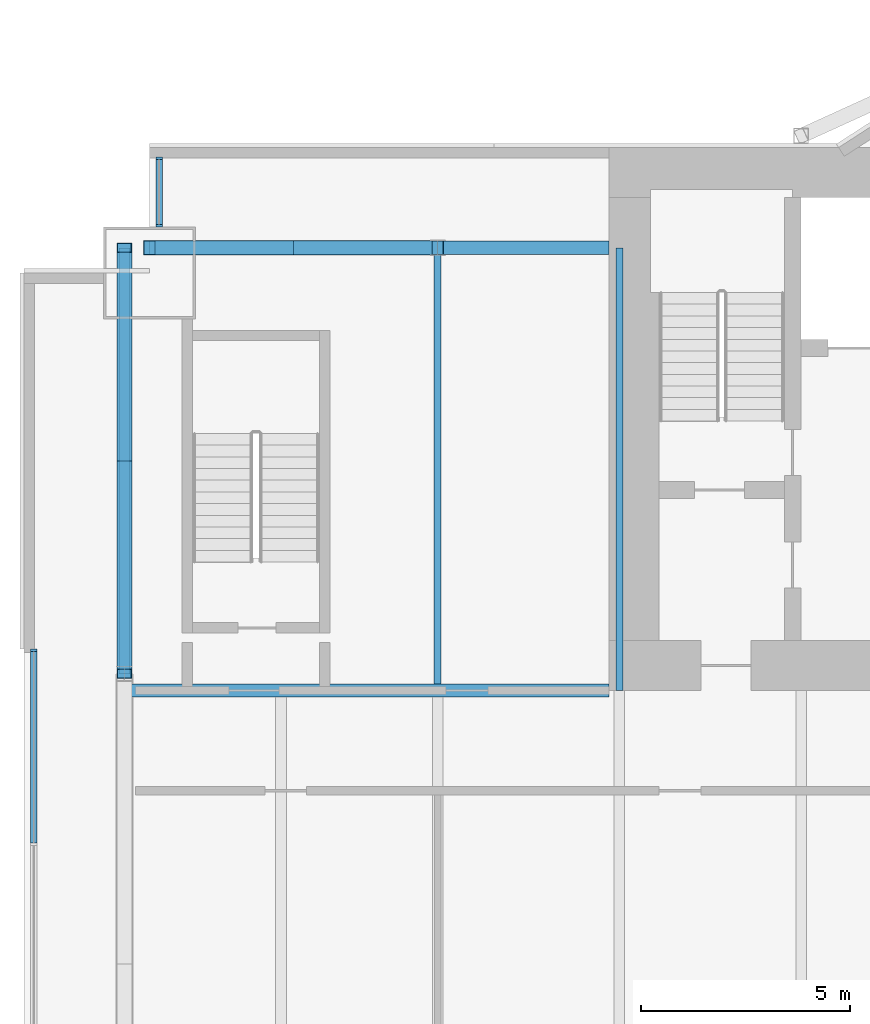
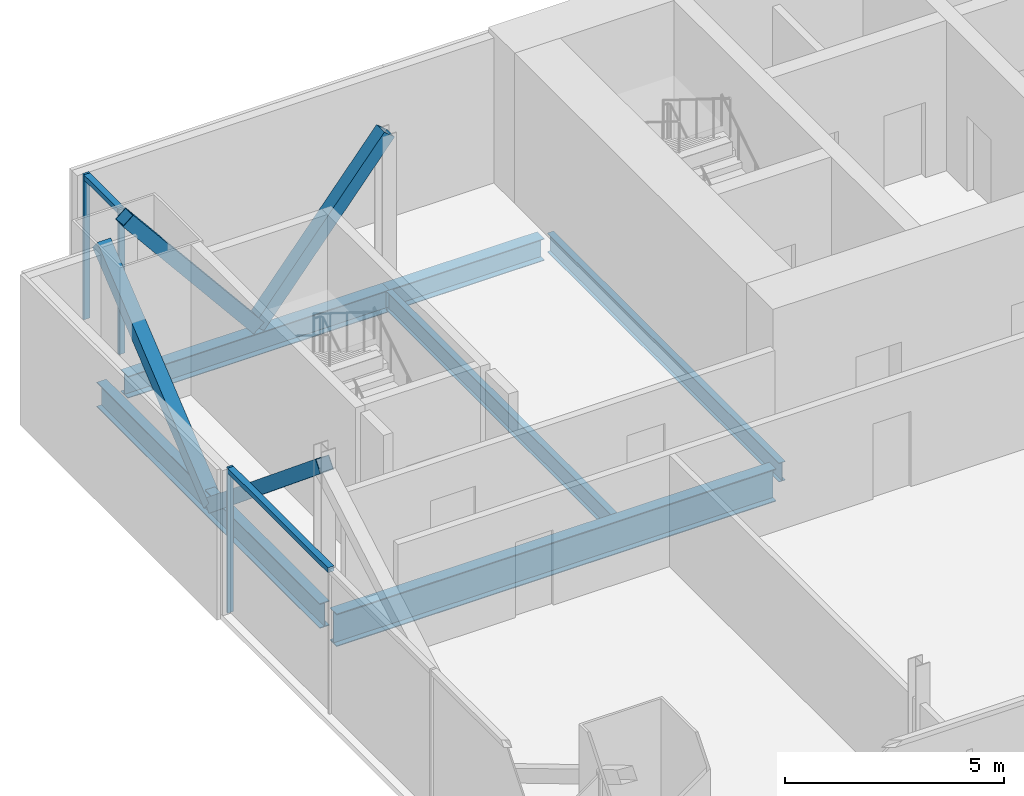
# One storey, part 7 of 19: 9 members, 6 beams, 2 elements without a shape of their own.
"""IFC4 building model written with IfcOpenShell, lengths in metres."""

from ifc_helpers import new_model, si_unit, direction, frame, origin, origin_2d, place, context, subcontext, project, spatial, rectangle, hollow_rectangle, i_section, extrude, material, material_profile, profile_set, type_object, element, aggregate, save


model = new_model("IFC4")

# Units and contexts
model_context = context("Model", 3, precision=1e-05, world=origin(), true_north=direction((0.0, 1.0)))
body_context = subcontext(model_context, "Body", "Model", "MODEL_VIEW")
ifc_project = project(units=[si_unit("LENGTHUNIT", "METRE"), si_unit("AREAUNIT", "SQUARE_METRE"), si_unit("VOLUMEUNIT", "CUBIC_METRE"), si_unit("PLANEANGLEUNIT", "RADIAN"), si_unit("MASSUNIT", "GRAM", prefix="KILO")], contexts=[model_context])

# Site, building, storey
site_placement = place(None, origin())
site = spatial("IfcSite", under=ifc_project, at=site_placement, CompositionType="ELEMENT")
building_placement = place(site_placement, origin())
building = spatial("IfcBuilding", under=site, at=building_placement, Name="Bicima Exchange Tower", CompositionType="ELEMENT")
storey_placement = place(building_placement, frame((0.0, 0.0, 258.199951171875)))
storey = spatial("IfcBuildingStorey", under=building, at=storey_placement, Name="L58", CompositionType="ELEMENT", Elevation=258.199951171875)

# Beam
ifc_material_1 = material(Name="Steel ASTM A992 Gr 50", Category="steel")
ifc_material_profile_1 = material_profile(ifc_material_1, i_section(OverallWidth=0.3046875, OverallDepth=0.911865234375, WebThickness=0.015869140625, FlangeThickness=0.02392578125, at=origin_2d()))
ifc_profile_set_1 = profile_set([ifc_material_profile_1], Name="Steel ASTM A992 Gr 50")
beam_type_1 = type_object("IfcBeamType", Name="Core-line girder W36x150", PredefinedType="BEAM", material=ifc_profile_set_1)
beam_1_placement = place(storey_placement, frame((-22.0, -13.0, -0.60595703125), z_axis=(-1.0, 0.0, 0.0), x_axis=(0.0, -1.0, 0.0)))
element("IfcBeam", 1, at=beam_1_placement, inside=storey, type_object=beam_type_1, Name="Core-line girder", PredefinedType="BEAM", context=body_context, shape_type="SweptSolid", body=[
    extrude(i_section(OverallWidth=0.3046875, OverallDepth=0.911865234375, WebThickness=0.015869140625, FlangeThickness=0.02392578125, at=origin_2d()), origin(), (0.0, 0.0, 1.0), 11.60009765625),
])

# Curtain wall, members
ifc_material_2 = material(Name="Anodised bronze aluminium", Category="aluminium")
curtain_wall_type_1 = type_object("IfcCurtainWallType", Name="End face glass wall", PredefinedType="NOTDEFINED", material=ifc_material_2)
curtain_wall_1_placement = place(storey_placement, origin())
curtain_wall_1 = element("IfcCurtainWall", 2, at=curtain_wall_1_placement, inside=storey, type_object=curtain_wall_type_1, Name="End face glass wall L58 run 2", PredefinedType="NOTDEFINED")
ifc_material_profile_2 = material_profile(ifc_material_2, rectangle(XDim=0.159912109375, YDim=0.06005859375, at=origin_2d()))
ifc_profile_set_2 = profile_set([ifc_material_profile_2], Name="Anodised bronze aluminium")
member_type_1 = type_object("IfcMemberType", Name="End face glass wall mullion 60 x 160", PredefinedType="MULLION", material=ifc_profile_set_2)
member_1_placement = place(storey_placement, frame((-35.77001953125, -12.030029296875, 0.0), z_axis=(0.0, 0.0, 1.0), x_axis=(1.0, 0.0, 0.0)))
member_1 = element("IfcMember", 3, at=member_1_placement, type_object=member_type_1, Name="End face glass wall mullion 1", PredefinedType="MULLION", context=body_context, shape_type="SweptSolid", body=[
    extrude(rectangle(XDim=0.159912109375, YDim=0.06005859375, at=origin_2d()), origin(), (0.0, 0.0, 1.0), 4.050048828125),
])
ifc_material_profile_3 = material_profile(ifc_material_2, rectangle(XDim=0.159912109375, YDim=0.139892578125, at=origin_2d()))
ifc_profile_set_3 = profile_set([ifc_material_profile_3], Name="Anodised bronze aluminium")
member_type_2 = type_object("IfcMemberType", Name="End face glass wall transom 140 x 160", PredefinedType="USERDEFINED", material=ifc_profile_set_3)
member_2_placement = place(storey_placement, frame((-35.77001953125, -12.06005859375, 3.97998046875), z_axis=(0.0, -1.0, 0.0), x_axis=(1.0, 0.0, 0.0)))
member_2 = element("IfcMember", 4, at=member_2_placement, type_object=member_type_2, Name="End face glass wall transom 1.1", ObjectType="TRANSOM", PredefinedType="USERDEFINED", context=body_context, shape_type="SweptSolid", body=[
    extrude(rectangle(XDim=0.159912109375, YDim=0.139892578125, at=origin_2d()), origin(), (0.0, 0.0, 1.0), 4.587158203125),
])
aggregate(curtain_wall_1, [member_1, member_2])

# Beams
ifc_material_profile_4 = material_profile(ifc_material_1, i_section(OverallWidth=0.256591796875, OverallDepth=0.693359375, WebThickness=0.014404296875, FlangeThickness=0.023681640625, at=origin_2d()))
ifc_profile_set_4 = profile_set([ifc_material_profile_4], Name="Steel ASTM A992 Gr 50")
beam_type_2 = type_object("IfcBeamType", Name="End girder W27x114", PredefinedType="BEAM", material=ifc_profile_set_4)
beam_2_placement = place(storey_placement, frame((-33.60009765625, -2.39990234375, -0.49658203125), z_axis=(0.0, -1.0, 0.0), x_axis=(1.0, 0.0, 0.0)))
element("IfcBeam", 5, at=beam_2_placement, inside=storey, type_object=beam_type_2, Name="End girder", PredefinedType="BEAM", context=body_context, shape_type="SweptSolid", body=[
    extrude(i_section(OverallWidth=0.256591796875, OverallDepth=0.693359375, WebThickness=0.014404296875, FlangeThickness=0.023681640625, at=origin_2d()), origin(), (0.0, 0.0, 1.0), 10.2001953125),
])
ifc_material_profile_5 = material_profile(ifc_material_1, i_section(OverallWidth=0.165771484375, OverallDepth=0.5283203125, WebThickness=0.009765625, FlangeThickness=0.013671875, at=origin_2d()))
ifc_profile_set_5 = profile_set([ifc_material_profile_5], Name="Steel ASTM A992 Gr 50")
beam_type_3 = type_object("IfcBeamType", Name="Floor beam W21x50", PredefinedType="JOIST", material=ifc_profile_set_5)
beam_3_placement = place(storey_placement, frame((-26.10009765625, -2.5625, -0.4140625), z_axis=(0.0, -1.0, 0.0), x_axis=(1.0, 0.0, 0.0)))
element("IfcBeam", 6, at=beam_3_placement, inside=storey, type_object=beam_type_3, Name="Floor beam", PredefinedType="JOIST", context=body_context, shape_type="SweptSolid", body=[
    extrude(i_section(OverallWidth=0.165771484375, OverallDepth=0.5283203125, WebThickness=0.009765625, FlangeThickness=0.013671875, at=origin_2d()), origin(), (0.0, 0.0, 1.0), 10.28515625),
])
beam_4_placement = place(storey_placement, frame((-21.75, -2.39990234375, -0.4140625), z_axis=(0.0, -1.0, 0.0), x_axis=(1.0, 0.0, 0.0)))
element("IfcBeam", 7, at=beam_4_placement, inside=storey, type_object=beam_type_3, Name="Floor beam", PredefinedType="JOIST", context=body_context, shape_type="SweptSolid", body=[
    extrude(i_section(OverallWidth=0.165771484375, OverallDepth=0.5283203125, WebThickness=0.009765625, FlangeThickness=0.013671875, at=origin_2d()), origin(), (0.0, 0.0, 1.0), 10.60009765625),
])

# Curtain wall, members
curtain_wall_type_2 = type_object("IfcCurtainWallType", Name="Front glass wall", PredefinedType="NOTDEFINED", material=ifc_material_2)
curtain_wall_2_placement = place(storey_placement, origin())
curtain_wall_2 = element("IfcCurtainWall", 8, at=curtain_wall_2_placement, inside=storey, type_object=curtain_wall_type_2, Name="Front glass wall L58 run 1", PredefinedType="NOTDEFINED")
member_type_3 = type_object("IfcMemberType", Name="Front glass wall mullion 60 x 160", PredefinedType="MULLION", material=ifc_profile_set_2)
member_3_placement = place(storey_placement, frame((-32.77001953125, -0.260009765625, 0.0), z_axis=(0.0, 0.0, 1.0), x_axis=(1.0, 0.0, 0.0)))
member_3 = element("IfcMember", 9, at=member_3_placement, type_object=member_type_3, Name="Front glass wall mullion 1", PredefinedType="MULLION", context=body_context, shape_type="SweptSolid", body=[
    extrude(rectangle(XDim=0.159912109375, YDim=0.06005859375, at=origin_2d()), origin(), (0.0, 0.0, 1.0), 4.050048828125),
])
member_4_placement = place(storey_placement, frame((-32.77001953125, -1.8701171875, 0.0), z_axis=(0.0, 0.0, 1.0), x_axis=(1.0, 0.0, 0.0)))
member_4 = element("IfcMember", 10, at=member_4_placement, type_object=member_type_3, Name="Front glass wall mullion 2", PredefinedType="MULLION", context=body_context, shape_type="SweptSolid", body=[
    extrude(rectangle(XDim=0.159912109375, YDim=0.06005859375, at=origin_2d()), origin(), (0.0, 0.0, 1.0), 4.050048828125),
])
member_type_4 = type_object("IfcMemberType", Name="Front glass wall transom 140 x 160", PredefinedType="USERDEFINED", material=ifc_profile_set_3)
member_5_placement = place(storey_placement, frame((-32.77001953125, -0.2900390625, 3.97998046875), z_axis=(0.0, -1.0, 0.0), x_axis=(1.0, 0.0, 0.0)))
member_5 = element("IfcMember", 11, at=member_5_placement, type_object=member_type_4, Name="Front glass wall transom 1.1", ObjectType="TRANSOM", PredefinedType="USERDEFINED", context=body_context, shape_type="SweptSolid", body=[
    extrude(rectangle(XDim=0.159912109375, YDim=0.139892578125, at=origin_2d()), origin(), (0.0, 0.0, 1.0), 1.550048828125),
])
aggregate(curtain_wall_2, [member_3, member_4, member_5])

# Members
ifc_material_3 = material(Name="Steel ASTM A572 Gr 50", Category="steel")
ifc_material_profile_6 = material_profile(ifc_material_3, hollow_rectangle(XDim=0.355712890625, YDim=0.355712890625, WallThickness=0.0146484375, at=origin_2d()))
ifc_profile_set_6 = profile_set([ifc_material_profile_6], Name="Steel ASTM A572 Gr 50")
member_type_5 = type_object("IfcMemberType", Name="Mega brace HSS14x14x5/8", PredefinedType="BRACE", material=ifc_profile_set_6)
for number, where, z_axis, x_axis, name in (
    (12, (-29.550048828125, -2.39990234375, 0.0), (0.63473846547, 0.0, 0.772727041362), (0.0, 1.0, 0.0), "Mega brace rear"),
    (13, (-29.550048828125, -2.39990234375, 0.0), (-0.63473846547, 0.0, 0.772727041362), (0.0, -1.0, 0.0), "Mega brace rear"),
):
    element("IfcMember", number, at=place(storey_placement, frame(where, z_axis=z_axis, x_axis=x_axis)), inside=storey, type_object=member_type_5, Name=name, PredefinedType="BRACE", context=body_context, shape_type="SweptSolid", body=[
        extrude(hollow_rectangle(XDim=0.355712890625, YDim=0.355712890625, WallThickness=0.0146484375, at=origin_2d()), origin(), (0.0, 0.0, 1.0), 5.435302734375),
    ])
for number, where, z_axis, x_axis, name in (
    (14, (-33.60009765625, -7.5, -0.49658203125), (0.0, -0.771939835586, 0.635695595576), (1.0, 0.0, 0.0), "Mega brace west end"),
    (15, (-33.60009765625, -7.5, -0.49658203125), (0.0, 0.771939835586, 0.635695595576), (-1.0, 0.0, 0.0), "Mega brace west end"),
):
    element("IfcMember", number, at=place(storey_placement, frame(where, z_axis=z_axis, x_axis=x_axis)), inside=storey, type_object=member_type_5, Name=name, PredefinedType="BRACE", context=body_context, shape_type="SweptSolid", body=[
        extrude(hollow_rectangle(XDim=0.355712890625, YDim=0.355712890625, WallThickness=0.0146484375, at=origin_2d()), origin(), (0.0, 0.0, 1.0), 6.60693359375),
    ])

# Beams
ifc_material_profile_7 = material_profile(ifc_material_1, i_section(OverallWidth=0.3251953125, OverallDepth=0.612060546875, WebThickness=0.0126953125, FlangeThickness=0.01904296875, at=origin_2d()))
ifc_profile_set_7 = profile_set([ifc_material_profile_7], Name="Steel ASTM A992 Gr 50")
beam_type_4 = type_object("IfcBeamType", Name="Rear girder W24x104", PredefinedType="BEAM", material=ifc_profile_set_7)
beam_5_placement = place(storey_placement, frame((-22.0, -2.39990234375, -0.4560546875), z_axis=(-1.0, 0.0, 0.0), x_axis=(0.0, -1.0, 0.0)))
element("IfcBeam", 16, at=beam_5_placement, inside=storey, type_object=beam_type_4, Name="Rear girder", PredefinedType="BEAM", context=body_context, shape_type="SweptSolid", body=[
    extrude(i_section(OverallWidth=0.3251953125, OverallDepth=0.612060546875, WebThickness=0.0126953125, FlangeThickness=0.01904296875, at=origin_2d()), origin(), (0.0, 0.0, 1.0), 4.10009765625),
])
beam_6_placement = place(storey_placement, frame((-26.10009765625, -2.39990234375, -0.4560546875), z_axis=(-1.0, 0.0, 0.0), x_axis=(0.0, -1.0, 0.0)))
element("IfcBeam", 17, at=beam_6_placement, inside=storey, type_object=beam_type_4, Name="Rear girder", PredefinedType="BEAM", context=body_context, shape_type="SweptSolid", body=[
    extrude(i_section(OverallWidth=0.3251953125, OverallDepth=0.612060546875, WebThickness=0.0126953125, FlangeThickness=0.01904296875, at=origin_2d()), origin(), (0.0, 0.0, 1.0), 6.89990234375),
])

save(model, "model.ifc")
